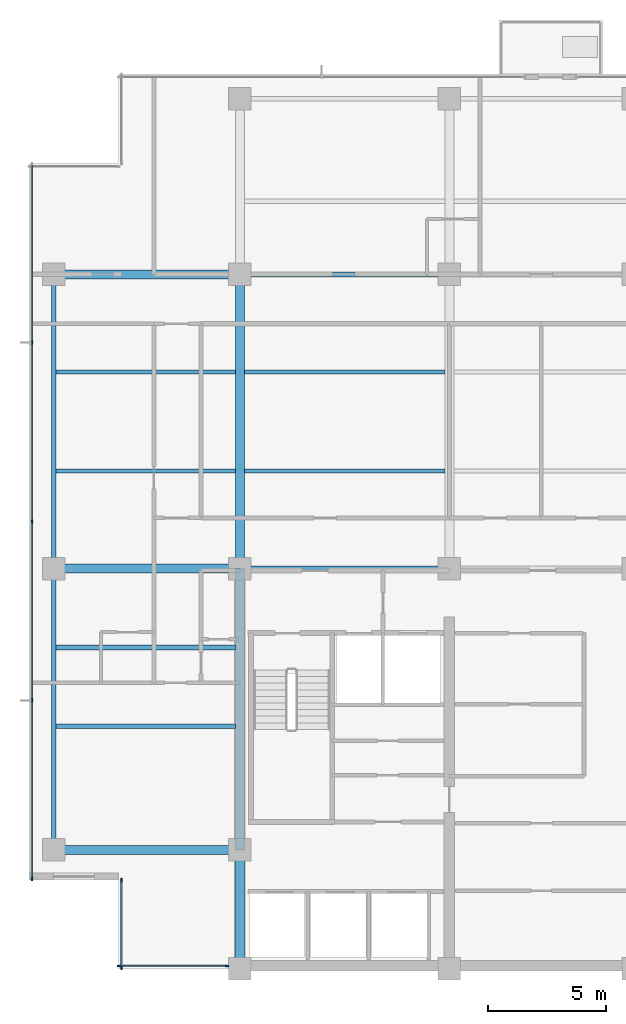
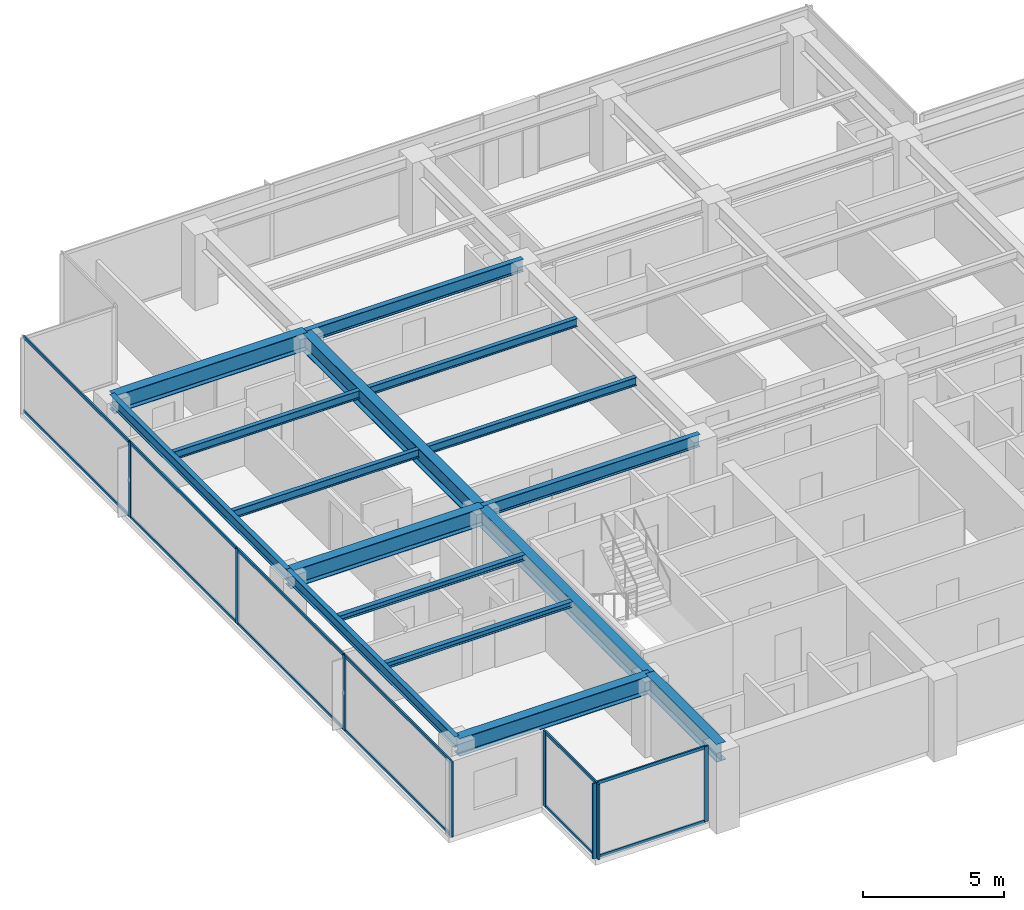
# One storey, part 2 of 15: 20 members, 16 beams, 3 elements without a shape of their own.
"""IFC4 building model written with IfcOpenShell, lengths in metres."""

from ifc_helpers import new_model, si_unit, direction, frame, origin, origin_2d, place, context, subcontext, project, spatial, rectangle, i_section, extrude, material, layer, layer_set, material_profile, profile_set, type_object, element, aggregate, save


model = new_model("IFC4")

# Units and contexts
model_context = context("Model", 3, precision=1e-05, world=origin(), true_north=direction((0.0, 1.0)))
body_context = subcontext(model_context, "Body", "Model", "MODEL_VIEW")
ifc_project = project(units=[si_unit("LENGTHUNIT", "METRE"), si_unit("AREAUNIT", "SQUARE_METRE"), si_unit("VOLUMEUNIT", "CUBIC_METRE"), si_unit("PLANEANGLEUNIT", "RADIAN"), si_unit("MASSUNIT", "GRAM", prefix="KILO")], contexts=[model_context])

# Site, building, storey
site_placement = place(None, origin())
site = spatial("IfcSite", under=ifc_project, at=site_placement, CompositionType="ELEMENT")
building_placement = place(site_placement, origin())
building = spatial("IfcBuilding", under=site, at=building_placement, Name="Qalmaran Belvedere Hotel", CompositionType="ELEMENT")
storey_placement = place(building_placement, frame((0.0, 0.0, 221.39990234375)))
storey = spatial("IfcBuildingStorey", under=building, at=storey_placement, Name="L56", CompositionType="ELEMENT", Elevation=221.39990234375)

# Beams
ifc_material_1 = material(Name="Steel S355JR", Category="steel")
ifc_material_profile_1 = material_profile(ifc_material_1, i_section(OverallWidth=0.201904296875, OverallDepth=0.2470703125, WebThickness=0.00732421875, FlangeThickness=0.010986328125, FilletRadius=0.011962890625, at=origin_2d()), Name="W250X49")
ifc_profile_set_1 = profile_set([ifc_material_profile_1], Name="Steel S355JR")
beam_type_1 = type_object("IfcBeamType", Name="BM-JST-W250X49", PredefinedType="JOIST", material=ifc_profile_set_1)
for number, where, z_axis, x_axis, name in (
    (1, (12.493896484375, 13.800048828125, 3.13671875), (1.0, 0.0, 0.0), (0.0, 1.0, 0.0), "L56 West Wing Joist 038"),
    (2, (12.493896484375, 17.14990234375, 3.13671875), (1.0, 0.0, 0.0), (0.0, 1.0, 0.0), "L56 West Wing Joist 040"),
):
    element("IfcBeam", number, at=place(storey_placement, frame(where, z_axis=z_axis, x_axis=x_axis)), inside=storey, type_object=beam_type_1, Name=name, PredefinedType="JOIST", context=body_context, shape_type="SweptSolid", body=[
        extrude(i_section(OverallWidth=0.201904296875, OverallDepth=0.2470703125, WebThickness=0.00732421875, FlangeThickness=0.010986328125, FilletRadius=0.011962890625, at=origin_2d()), origin(), (0.0, 0.0, 1.0), 7.61767578125),
    ])
ifc_material_profile_2 = material_profile(ifc_material_1, i_section(OverallWidth=0.381103515625, OverallDepth=0.77294921875, WebThickness=0.0166015625, FlangeThickness=0.027099609375, FilletRadius=0.02197265625, at=origin_2d()), Name="W760X257")
ifc_profile_set_2 = profile_set([ifc_material_profile_2], Name="Steel S355JR")
beam_type_2 = type_object("IfcBeamType", Name="BM-PG4-W760X257", PredefinedType="USERDEFINED", material=ifc_profile_set_2)
beam_1_placement = place(storey_placement, frame((20.300048828125, 20.5, 2.87353515625), z_axis=(0.0, 1.0, 0.0), x_axis=(-1.0, 0.0, 0.0)))
element("IfcBeam", 3, at=beam_1_placement, inside=storey, type_object=beam_type_2, Name="L56 Mid-Plate N-S Girder 14", ObjectType="GIRDER", PredefinedType="USERDEFINED", context=body_context, shape_type="SweptSolid", body=[
    extrude(i_section(OverallWidth=0.381103515625, OverallDepth=0.77294921875, WebThickness=0.0166015625, FlangeThickness=0.027099609375, FilletRadius=0.02197265625, at=origin_2d()), origin(), (0.0, 0.0, 1.0), 12.5),
])
for number, where, z_axis, x_axis, name in (
    (4, (12.39990234375, 8.550048828125, 2.87353515625), (1.0, 0.0, 0.0), (0.0, 1.0, 0.0), "L56 West Wing Girder 22"),
    (5, (12.39990234375, 20.5, 2.87353515625), (1.0, 0.0, 0.0), (0.0, 1.0, 0.0), "L56 West Wing Girder 23"),
    (6, (12.39990234375, 33.0, 2.87353515625), (1.0, 0.0, 0.0), (0.0, 1.0, 0.0), "L56 West Wing Girder 24"),
):
    element("IfcBeam", number, at=place(storey_placement, frame(where, z_axis=z_axis, x_axis=x_axis)), inside=storey, type_object=beam_type_2, Name=name, ObjectType="GIRDER", PredefinedType="USERDEFINED", context=body_context, shape_type="SweptSolid", body=[
        extrude(i_section(OverallWidth=0.381103515625, OverallDepth=0.77294921875, WebThickness=0.0166015625, FlangeThickness=0.027099609375, FilletRadius=0.02197265625, at=origin_2d()), origin(), (0.0, 0.0, 1.0), 7.900146484375),
    ])
beam_2_placement = place(storey_placement, frame((20.300048828125, 3.5, 2.87353515625), z_axis=(0.0, 1.0, 0.0), x_axis=(-1.0, 0.0, 0.0)))
element("IfcBeam", 7, at=beam_2_placement, inside=storey, type_object=beam_type_2, Name="L56 West Core Edge Girder A", ObjectType="GIRDER", PredefinedType="USERDEFINED", context=body_context, shape_type="SweptSolid", body=[
    extrude(i_section(OverallWidth=0.381103515625, OverallDepth=0.77294921875, WebThickness=0.0166015625, FlangeThickness=0.027099609375, FilletRadius=0.02197265625, at=origin_2d()), origin(), (0.0, 0.0, 1.0), 5.050048828125),
])
beam_3_placement = place(storey_placement, frame((20.300048828125, 8.550048828125, 2.87353515625), z_axis=(0.0, 1.0, 0.0), x_axis=(-1.0, 0.0, 0.0)))
element("IfcBeam", 8, at=beam_3_placement, inside=storey, type_object=beam_type_2, Name="L56 West Core Edge Girder B", ObjectType="GIRDER", PredefinedType="USERDEFINED", context=body_context, shape_type="SweptSolid", body=[
    extrude(i_section(OverallWidth=0.381103515625, OverallDepth=0.77294921875, WebThickness=0.0166015625, FlangeThickness=0.027099609375, FilletRadius=0.02197265625, at=origin_2d()), origin(), (0.0, 0.0, 1.0), 11.949951171875),
])
ifc_material_profile_3 = material_profile(ifc_material_1, i_section(OverallWidth=0.172119140625, OverallDepth=0.35791015625, WebThickness=0.0078125, FlangeThickness=0.01318359375, FilletRadius=0.014892578125, at=origin_2d()), Name="W360X57")
ifc_profile_set_3 = profile_set([ifc_material_profile_3], Name="Steel S355JR")
beam_type_3 = type_object("IfcBeamType", Name="BM-SB4-W360X57", PredefinedType="BEAM", material=ifc_profile_set_3)
beam_4_placement = place(storey_placement, frame((12.493896484375, 24.64990234375, 3.0810546875), z_axis=(1.0, 0.0, 0.0), x_axis=(0.0, 1.0, 0.0)))
element("IfcBeam", 9, at=beam_4_placement, inside=storey, type_object=beam_type_3, Name="L56 West Secondary Beam 028", PredefinedType="BEAM", context=body_context, shape_type="SweptSolid", body=[
    extrude(i_section(OverallWidth=0.172119140625, OverallDepth=0.35791015625, WebThickness=0.0078125, FlangeThickness=0.01318359375, FilletRadius=0.014892578125, at=origin_2d()), origin(), (0.0, 0.0, 1.0), 7.61767578125),
])
beam_5_placement = place(storey_placement, frame((20.488525390625, 24.64990234375, 3.0810546875), z_axis=(1.0, 0.0, 0.0), x_axis=(0.0, 1.0, 0.0)))
element("IfcBeam", 10, at=beam_5_placement, inside=storey, type_object=beam_type_3, Name="L56 Secondary Floor Beam 029", PredefinedType="BEAM", context=body_context, shape_type="SweptSolid", body=[
    extrude(i_section(OverallWidth=0.172119140625, OverallDepth=0.35791015625, WebThickness=0.0078125, FlangeThickness=0.01318359375, FilletRadius=0.014892578125, at=origin_2d()), origin(), (0.0, 0.0, 1.0), 8.52294921875),
])
beam_6_placement = place(storey_placement, frame((12.493896484375, 28.85009765625, 3.0810546875), z_axis=(1.0, 0.0, 0.0), x_axis=(0.0, 1.0, 0.0)))
element("IfcBeam", 11, at=beam_6_placement, inside=storey, type_object=beam_type_3, Name="L56 West Secondary Beam 033", PredefinedType="BEAM", context=body_context, shape_type="SweptSolid", body=[
    extrude(i_section(OverallWidth=0.172119140625, OverallDepth=0.35791015625, WebThickness=0.0078125, FlangeThickness=0.01318359375, FilletRadius=0.014892578125, at=origin_2d()), origin(), (0.0, 0.0, 1.0), 7.61767578125),
])
beam_7_placement = place(storey_placement, frame((20.488525390625, 28.85009765625, 3.0810546875), z_axis=(1.0, 0.0, 0.0), x_axis=(0.0, 1.0, 0.0)))
element("IfcBeam", 12, at=beam_7_placement, inside=storey, type_object=beam_type_3, Name="L56 Secondary Floor Beam 034", PredefinedType="BEAM", context=body_context, shape_type="SweptSolid", body=[
    extrude(i_section(OverallWidth=0.172119140625, OverallDepth=0.35791015625, WebThickness=0.0078125, FlangeThickness=0.01318359375, FilletRadius=0.014892578125, at=origin_2d()), origin(), (0.0, 0.0, 1.0), 8.52294921875),
])
ifc_material_profile_4 = material_profile(ifc_material_1, i_section(OverallWidth=0.19189453125, OverallDepth=0.462890625, WebThickness=0.010498046875, FlangeThickness=0.017578125, FilletRadius=0.01611328125, at=origin_2d()), Name="W460X89")
ifc_profile_set_4 = profile_set([ifc_material_profile_4], Name="Steel S355JR")
beam_type_4 = type_object("IfcBeamType", Name="BM-SP2-W460X89", PredefinedType="SPANDREL", material=ifc_profile_set_4)
beam_8_placement = place(storey_placement, frame((12.39990234375, 8.550048828125, 3.028564453125), z_axis=(0.0, 1.0, 0.0), x_axis=(-1.0, 0.0, 0.0)))
element("IfcBeam", 13, at=beam_8_placement, inside=storey, type_object=beam_type_4, Name="L56 Perimeter Spandrel 01", PredefinedType="SPANDREL", context=body_context, shape_type="SweptSolid", body=[
    extrude(i_section(OverallWidth=0.19189453125, OverallDepth=0.462890625, WebThickness=0.010498046875, FlangeThickness=0.017578125, FilletRadius=0.01611328125, at=origin_2d()), origin(), (0.0, 0.0, 1.0), 11.949951171875),
])
beam_9_placement = place(storey_placement, frame((12.39990234375, 20.5, 3.028564453125), z_axis=(0.0, 1.0, 0.0), x_axis=(-1.0, 0.0, 0.0)))
element("IfcBeam", 14, at=beam_9_placement, inside=storey, type_object=beam_type_4, Name="L56 Perimeter Spandrel 02", PredefinedType="SPANDREL", context=body_context, shape_type="SweptSolid", body=[
    extrude(i_section(OverallWidth=0.19189453125, OverallDepth=0.462890625, WebThickness=0.010498046875, FlangeThickness=0.017578125, FilletRadius=0.01611328125, at=origin_2d()), origin(), (0.0, 0.0, 1.0), 12.5),
])
ifc_material_profile_5 = material_profile(ifc_material_1, i_section(OverallWidth=0.2109375, OverallDepth=0.5390625, WebThickness=0.01171875, FlangeThickness=0.018798828125, FilletRadius=0.01806640625, at=origin_2d()), Name="W530X109")
ifc_profile_set_5 = profile_set([ifc_material_profile_5], Name="Steel S355JR")
beam_type_5 = type_object("IfcBeamType", Name="BM-Z4-W530X109", PredefinedType="USERDEFINED", material=ifc_profile_set_5)
for number, where, z_axis, x_axis, name in (
    (15, (20.300048828125, 20.5, 2.990478515625), (1.0, 0.0, 0.0), (0.0, 1.0, 0.0), "L56 Interior E-W Girder 08"),
    (16, (20.300048828125, 33.0, 2.990478515625), (1.0, 0.0, 0.0), (0.0, 1.0, 0.0), "L56 Interior E-W Girder 11"),
):
    element("IfcBeam", number, at=place(storey_placement, frame(where, z_axis=z_axis, x_axis=x_axis)), inside=storey, type_object=beam_type_5, Name=name, ObjectType="GIRDER", PredefinedType="USERDEFINED", context=body_context, shape_type="SweptSolid", body=[
        extrude(i_section(OverallWidth=0.2109375, OverallDepth=0.5390625, WebThickness=0.01171875, FlangeThickness=0.018798828125, FilletRadius=0.01806640625, at=origin_2d()), origin(), (0.0, 0.0, 1.0), 8.89990234375),
    ])

# Curtain wall, members
ifc_material_2 = material(Name="Anodised Bronze Aluminium", Category="aluminium")
ifc_layer = layer(ifc_material_2, 0.18994140625, Name="Anodised Bronze Aluminium")
ifc_layer_set = layer_set([ifc_layer], Name="Anodised Bronze Aluminium")
curtain_wall_type = type_object("IfcCurtainWallType", Name="CW5-TOWER-UPPER", PredefinedType="NOTDEFINED", material=ifc_layer_set)
curtain_wall_1_placement = place(storey_placement, origin())
curtain_wall_1 = element("IfcCurtainWall", 17, at=curtain_wall_1_placement, inside=storey, type_object=curtain_wall_type, Name="L56 Curtain Wall CW5", PredefinedType="NOTDEFINED")
ifc_material_profile_6 = material_profile(ifc_material_2, rectangle(XDim=0.06494140625, YDim=0.1650390625, at=origin_2d()), Name="CWM65X165")
ifc_profile_set_6 = profile_set([ifc_material_profile_6], Name="Anodised Bronze Aluminium")
member_type_1 = type_object("IfcMemberType", Name="CWM-65X165", PredefinedType="MULLION", material=ifc_profile_set_6)
member_1_placement = place(storey_placement, frame((15.1826171875, 3.6201171875, 0.0), z_axis=(0.0, 0.0, 1.0), x_axis=(0.0, 1.0, 0.0)))
member_1 = element("IfcMember", 18, at=member_1_placement, type_object=member_type_1, Name="CW5 mullion 1", PredefinedType="MULLION", context=body_context, shape_type="SweptSolid", body=[
    extrude(rectangle(XDim=0.06494140625, YDim=0.1650390625, at=origin_2d()), origin(), (0.0, 0.0, 1.0), 3.260009765625),
])
member_2_placement = place(storey_placement, frame((19.75244140625, 3.6201171875, 0.0), z_axis=(0.0, 0.0, 1.0), x_axis=(0.0, 1.0, 0.0)))
member_2 = element("IfcMember", 19, at=member_2_placement, type_object=member_type_1, Name="CW5 mullion 2", PredefinedType="MULLION", context=body_context, shape_type="SweptSolid", body=[
    extrude(rectangle(XDim=0.06494140625, YDim=0.1650390625, at=origin_2d()), origin(), (0.0, 0.0, 1.0), 3.260009765625),
])

curtain_wall_2_placement = place(storey_placement, origin())
curtain_wall_2 = element("IfcCurtainWall", 20, at=curtain_wall_2_placement, inside=storey, type_object=curtain_wall_type, Name="L56 Curtain Wall CW5", PredefinedType="NOTDEFINED")
member_3_placement = place(storey_placement, frame((11.469970703125, 30.10009765625, 0.0), z_axis=(0.0, 0.0, 1.0), x_axis=(1.0, 0.0, 0.0)))
member_3 = element("IfcMember", 21, at=member_3_placement, type_object=member_type_1, Name="CW5 mullion 2", PredefinedType="MULLION", context=body_context, shape_type="SweptSolid", body=[
    extrude(rectangle(XDim=0.06494140625, YDim=0.1650390625, at=origin_2d()), origin(), (0.0, 0.0, 1.0), 3.260009765625),
])
member_4_placement = place(storey_placement, frame((11.469970703125, 22.5, 0.0), z_axis=(0.0, 0.0, 1.0), x_axis=(1.0, 0.0, 0.0)))
member_4 = element("IfcMember", 22, at=member_4_placement, type_object=member_type_1, Name="CW5 mullion 3", PredefinedType="MULLION", context=body_context, shape_type="SweptSolid", body=[
    extrude(rectangle(XDim=0.06494140625, YDim=0.1650390625, at=origin_2d()), origin(), (0.0, 0.0, 1.0), 3.260009765625),
])
member_5_placement = place(storey_placement, frame((11.469970703125, 14.89990234375, 0.0), z_axis=(0.0, 0.0, 1.0), x_axis=(1.0, 0.0, 0.0)))
member_5 = element("IfcMember", 23, at=member_5_placement, type_object=member_type_1, Name="CW5 mullion 4", PredefinedType="MULLION", context=body_context, shape_type="SweptSolid", body=[
    extrude(rectangle(XDim=0.06494140625, YDim=0.1650390625, at=origin_2d()), origin(), (0.0, 0.0, 1.0), 3.260009765625),
])
member_6_placement = place(storey_placement, frame((11.469970703125, 7.33251953125, 0.0), z_axis=(0.0, 0.0, 1.0), x_axis=(1.0, 0.0, 0.0)))
member_6 = element("IfcMember", 24, at=member_6_placement, type_object=member_type_1, Name="CW5 mullion 5", PredefinedType="MULLION", context=body_context, shape_type="SweptSolid", body=[
    extrude(rectangle(XDim=0.06494140625, YDim=0.1650390625, at=origin_2d()), origin(), (0.0, 0.0, 1.0), 3.260009765625),
])

curtain_wall_3_placement = place(storey_placement, origin())
curtain_wall_3 = element("IfcCurtainWall", 25, at=curtain_wall_3_placement, inside=storey, type_object=curtain_wall_type, Name="L56 Curtain Wall CW5", PredefinedType="NOTDEFINED")
member_7_placement = place(storey_placement, frame((15.27001953125, 7.267578125, 0.0), z_axis=(0.0, 0.0, 1.0), x_axis=(1.0, 0.0, 0.0)))
member_7 = element("IfcMember", 26, at=member_7_placement, type_object=member_type_1, Name="CW5 mullion 1", PredefinedType="MULLION", context=body_context, shape_type="SweptSolid", body=[
    extrude(rectangle(XDim=0.06494140625, YDim=0.1650390625, at=origin_2d()), origin(), (0.0, 0.0, 1.0), 3.260009765625),
])
member_8_placement = place(storey_placement, frame((15.27001953125, 3.532470703125, 0.0), z_axis=(0.0, 0.0, 1.0), x_axis=(1.0, 0.0, 0.0)))
member_8 = element("IfcMember", 27, at=member_8_placement, type_object=member_type_1, Name="CW5 mullion 2", PredefinedType="MULLION", context=body_context, shape_type="SweptSolid", body=[
    extrude(rectangle(XDim=0.06494140625, YDim=0.1650390625, at=origin_2d()), origin(), (0.0, 0.0, 1.0), 3.260009765625),
])

# Member
ifc_material_profile_7 = material_profile(ifc_material_2, rectangle(XDim=0.06494140625, YDim=0.1298828125, at=origin_2d()), Name="CWT65X130")
ifc_profile_set_7 = profile_set([ifc_material_profile_7], Name="Anodised Bronze Aluminium")
member_type_2 = type_object("IfcMemberType", Name="CWT-65X130", PredefinedType="USERDEFINED", material=ifc_profile_set_7)
member_9_placement = place(storey_placement, frame((15.215087890625, 3.6201171875, 0.03271484375), z_axis=(1.0, 0.0, 0.0), x_axis=(0.0, 1.0, 0.0)))
member_9 = element("IfcMember", 28, at=member_9_placement, type_object=member_type_2, Name="CW5 transom 1.1", ObjectType="TRANSOM", PredefinedType="USERDEFINED", context=body_context, shape_type="SweptSolid", body=[
    extrude(rectangle(XDim=0.06494140625, YDim=0.1298828125, at=origin_2d()), origin(), (0.0, 0.0, 1.0), 4.5048828125),
])

member_10_placement = place(storey_placement, frame((15.215087890625, 3.6201171875, 3.2275390625), z_axis=(1.0, 0.0, 0.0), x_axis=(0.0, 1.0, 0.0)))
member_10 = element("IfcMember", 29, at=member_10_placement, type_object=member_type_2, Name="CW5 transom 1.2", ObjectType="TRANSOM", PredefinedType="USERDEFINED", context=body_context, shape_type="SweptSolid", body=[
    extrude(rectangle(XDim=0.06494140625, YDim=0.1298828125, at=origin_2d()), origin(), (0.0, 0.0, 1.0), 4.5048828125),
])

aggregate(curtain_wall_1, [member_1, member_2, member_9, member_10])

member_11_placement = place(storey_placement, frame((11.469970703125, 37.635009765625, 0.03271484375), z_axis=(0.0, -1.0, 0.0), x_axis=(1.0, 0.0, 0.0)))
member_11 = element("IfcMember", 30, at=member_11_placement, type_object=member_type_2, Name="CW5 transom 1.1", ObjectType="TRANSOM", PredefinedType="USERDEFINED", context=body_context, shape_type="SweptSolid", body=[
    extrude(rectangle(XDim=0.06494140625, YDim=0.1298828125, at=origin_2d()), origin(), (0.0, 0.0, 1.0), 7.50244140625),
])

member_12_placement = place(storey_placement, frame((11.469970703125, 37.635009765625, 3.2275390625), z_axis=(0.0, -1.0, 0.0), x_axis=(1.0, 0.0, 0.0)))
member_12 = element("IfcMember", 31, at=member_12_placement, type_object=member_type_2, Name="CW5 transom 1.2", ObjectType="TRANSOM", PredefinedType="USERDEFINED", context=body_context, shape_type="SweptSolid", body=[
    extrude(rectangle(XDim=0.06494140625, YDim=0.1298828125, at=origin_2d()), origin(), (0.0, 0.0, 1.0), 7.50244140625),
])

member_13_placement = place(storey_placement, frame((11.469970703125, 30.0673828125, 0.03271484375), z_axis=(0.0, -1.0, 0.0), x_axis=(1.0, 0.0, 0.0)))
member_13 = element("IfcMember", 32, at=member_13_placement, type_object=member_type_2, Name="CW5 transom 2.1", ObjectType="TRANSOM", PredefinedType="USERDEFINED", context=body_context, shape_type="SweptSolid", body=[
    extrude(rectangle(XDim=0.06494140625, YDim=0.1298828125, at=origin_2d()), origin(), (0.0, 0.0, 1.0), 7.534912109375),
])

member_14_placement = place(storey_placement, frame((11.469970703125, 30.0673828125, 3.2275390625), z_axis=(0.0, -1.0, 0.0), x_axis=(1.0, 0.0, 0.0)))
member_14 = element("IfcMember", 33, at=member_14_placement, type_object=member_type_2, Name="CW5 transom 2.2", ObjectType="TRANSOM", PredefinedType="USERDEFINED", context=body_context, shape_type="SweptSolid", body=[
    extrude(rectangle(XDim=0.06494140625, YDim=0.1298828125, at=origin_2d()), origin(), (0.0, 0.0, 1.0), 7.534912109375),
])

member_15_placement = place(storey_placement, frame((11.469970703125, 22.467529296875, 0.03271484375), z_axis=(0.0, -1.0, 0.0), x_axis=(1.0, 0.0, 0.0)))
member_15 = element("IfcMember", 34, at=member_15_placement, type_object=member_type_2, Name="CW5 transom 3.1", ObjectType="TRANSOM", PredefinedType="USERDEFINED", context=body_context, shape_type="SweptSolid", body=[
    extrude(rectangle(XDim=0.06494140625, YDim=0.1298828125, at=origin_2d()), origin(), (0.0, 0.0, 1.0), 7.534912109375),
])

member_16_placement = place(storey_placement, frame((11.469970703125, 22.467529296875, 3.2275390625), z_axis=(0.0, -1.0, 0.0), x_axis=(1.0, 0.0, 0.0)))
member_16 = element("IfcMember", 35, at=member_16_placement, type_object=member_type_2, Name="CW5 transom 3.2", ObjectType="TRANSOM", PredefinedType="USERDEFINED", context=body_context, shape_type="SweptSolid", body=[
    extrude(rectangle(XDim=0.06494140625, YDim=0.1298828125, at=origin_2d()), origin(), (0.0, 0.0, 1.0), 7.534912109375),
])

member_17_placement = place(storey_placement, frame((11.469970703125, 14.867431640625, 0.03271484375), z_axis=(0.0, -1.0, 0.0), x_axis=(1.0, 0.0, 0.0)))
member_17 = element("IfcMember", 36, at=member_17_placement, type_object=member_type_2, Name="CW5 transom 4.1", ObjectType="TRANSOM", PredefinedType="USERDEFINED", context=body_context, shape_type="SweptSolid", body=[
    extrude(rectangle(XDim=0.06494140625, YDim=0.1298828125, at=origin_2d()), origin(), (0.0, 0.0, 1.0), 7.50244140625),
])

member_18_placement = place(storey_placement, frame((11.469970703125, 14.867431640625, 3.2275390625), z_axis=(0.0, -1.0, 0.0), x_axis=(1.0, 0.0, 0.0)))
member_18 = element("IfcMember", 37, at=member_18_placement, type_object=member_type_2, Name="CW5 transom 4.2", ObjectType="TRANSOM", PredefinedType="USERDEFINED", context=body_context, shape_type="SweptSolid", body=[
    extrude(rectangle(XDim=0.06494140625, YDim=0.1298828125, at=origin_2d()), origin(), (0.0, 0.0, 1.0), 7.50244140625),
])

aggregate(curtain_wall_2, [member_3, member_4, member_5, member_6, member_11, member_12, member_13, member_14, member_15, member_16, member_17, member_18])

member_19_placement = place(storey_placement, frame((15.27001953125, 7.235107421875, 0.03271484375), z_axis=(0.0, -1.0, 0.0), x_axis=(1.0, 0.0, 0.0)))
member_19 = element("IfcMember", 38, at=member_19_placement, type_object=member_type_2, Name="CW5 transom 1.1", ObjectType="TRANSOM", PredefinedType="USERDEFINED", context=body_context, shape_type="SweptSolid", body=[
    extrude(rectangle(XDim=0.06494140625, YDim=0.1298828125, at=origin_2d()), origin(), (0.0, 0.0, 1.0), 3.670166015625),
])

member_20_placement = place(storey_placement, frame((15.27001953125, 7.235107421875, 3.2275390625), z_axis=(0.0, -1.0, 0.0), x_axis=(1.0, 0.0, 0.0)))
member_20 = element("IfcMember", 39, at=member_20_placement, type_object=member_type_2, Name="CW5 transom 1.2", ObjectType="TRANSOM", PredefinedType="USERDEFINED", context=body_context, shape_type="SweptSolid", body=[
    extrude(rectangle(XDim=0.06494140625, YDim=0.1298828125, at=origin_2d()), origin(), (0.0, 0.0, 1.0), 3.670166015625),
])

aggregate(curtain_wall_3, [member_7, member_8, member_19, member_20])

save(model, "model.ifc")
